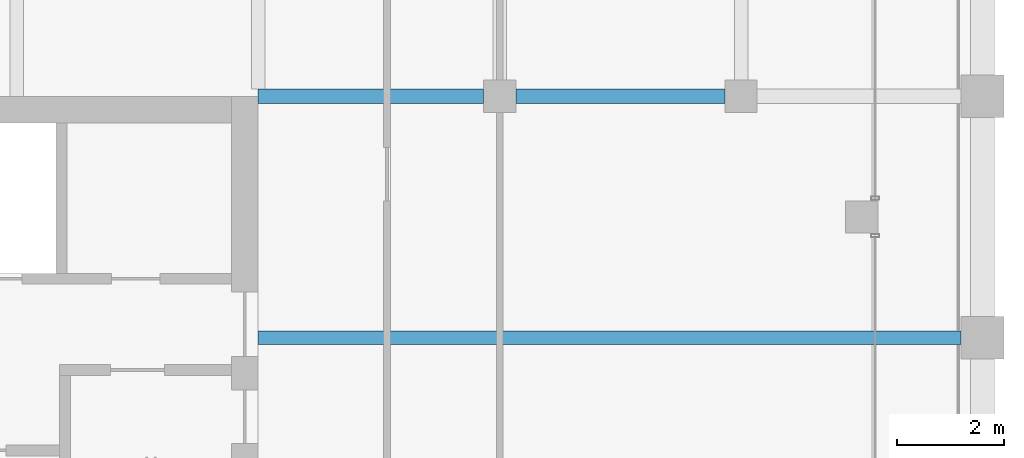
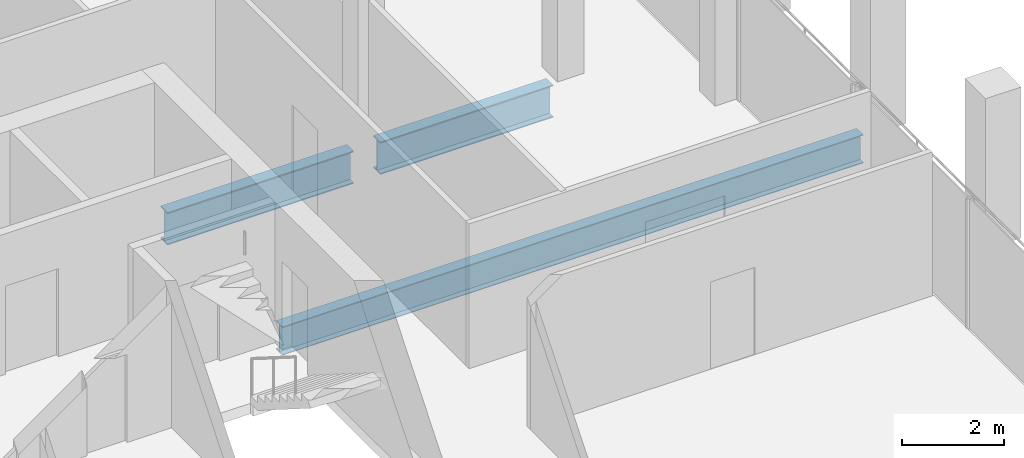
# One storey, part 18 of 30: 3 beams.
"""IFC4 building model written with IfcOpenShell, lengths in metres."""

from ifc_helpers import new_model, si_unit, direction, frame, origin, origin_2d, place, context, subcontext, project, spatial, i_section, extrude, material, material_profile, profile_set, type_object, element, save


model = new_model("IFC4")

# Units and contexts
model_context = context("Model", 3, precision=1e-05, world=origin(), true_north=direction((0.0, 1.0)))
body_context = subcontext(model_context, "Body", "Model", "MODEL_VIEW")
ifc_project = project(units=[si_unit("LENGTHUNIT", "METRE"), si_unit("AREAUNIT", "SQUARE_METRE"), si_unit("VOLUMEUNIT", "CUBIC_METRE"), si_unit("PLANEANGLEUNIT", "RADIAN"), si_unit("MASSUNIT", "GRAM", prefix="KILO")], contexts=[model_context])

# Site, building, storey
site_placement = place(None, origin())
site = spatial("IfcSite", under=ifc_project, at=site_placement, CompositionType="ELEMENT")
building_placement = place(site_placement, origin())
building = spatial("IfcBuilding", under=site, at=building_placement, Name="Altepetl Exchange Towers", CompositionType="ELEMENT")
storey_placement = place(building_placement, frame((0.0, 0.0, 238.800048828125)))
storey = spatial("IfcBuildingStorey", under=building, at=storey_placement, Name="L61", CompositionType="ELEMENT", Elevation=238.800048828125)

# Beams
ifc_material = material(Name="Steel S355", Category="steel")
ifc_material_profile_1 = material_profile(ifc_material, i_section(OverallWidth=0.2529296875, OverallDepth=0.677978515625, WebThickness=0.01171875, FlangeThickness=0.016357421875, at=origin_2d()), Name="W27X84")
ifc_profile_set_1 = profile_set([ifc_material_profile_1], Name="Steel S355")
beam_type_1 = type_object("IfcBeamType", Name="Floor beam W27X84", PredefinedType="BEAM", material=ifc_profile_set_1)
beam_1_placement = place(storey_placement, frame((58.5, 54.0, -0.489013671875), z_axis=(1.0, 0.0, 0.0), x_axis=(0.0, 1.0, 0.0)))
element("IfcBeam", 1, at=beam_1_placement, inside=storey, type_object=beam_type_1, Name="bm:A:L61:011", PredefinedType="BEAM", context=body_context, shape_type="SweptSolid", body=[
    extrude(i_section(OverallWidth=0.2529296875, OverallDepth=0.677978515625, WebThickness=0.01171875, FlangeThickness=0.016357421875, at=origin_2d()), origin(), (0.0, 0.0, 1.0), 13.10009765625),
])
ifc_material_profile_2 = material_profile(ifc_material, i_section(OverallWidth=0.26806640625, OverallDepth=0.77392578125, WebThickness=0.015380859375, FlangeThickness=0.025390625, at=origin_2d()), Name="W30X132")
ifc_profile_set_2 = profile_set([ifc_material_profile_2], Name="Steel S355")
beam_type_2 = type_object("IfcBeamType", Name="Girder W30X132", PredefinedType="BEAM", material=ifc_profile_set_2)
beam_2_placement = place(storey_placement, frame((58.5, 58.5, -0.537109375), z_axis=(1.0, 0.0, 0.0), x_axis=(0.0, 1.0, 0.0)))
element("IfcBeam", 2, at=beam_2_placement, inside=storey, type_object=beam_type_2, Name="gd:A:L61:000", PredefinedType="BEAM", context=body_context, shape_type="SweptSolid", body=[
    extrude(i_section(OverallWidth=0.26806640625, OverallDepth=0.77392578125, WebThickness=0.015380859375, FlangeThickness=0.025390625, at=origin_2d()), origin(), (0.0, 0.0, 1.0), 4.199951171875),
])
beam_3_placement = place(storey_placement, frame((63.300048828125, 58.5, -0.537109375), z_axis=(1.0, 0.0, 0.0), x_axis=(0.0, 1.0, 0.0)))
element("IfcBeam", 3, at=beam_3_placement, inside=storey, type_object=beam_type_2, Name="gd:A:L61:001", PredefinedType="BEAM", context=body_context, shape_type="SweptSolid", body=[
    extrude(i_section(OverallWidth=0.26806640625, OverallDepth=0.77392578125, WebThickness=0.015380859375, FlangeThickness=0.025390625, at=origin_2d()), origin(), (0.0, 0.0, 1.0), 3.89990234375),
])

save(model, "model.ifc")
